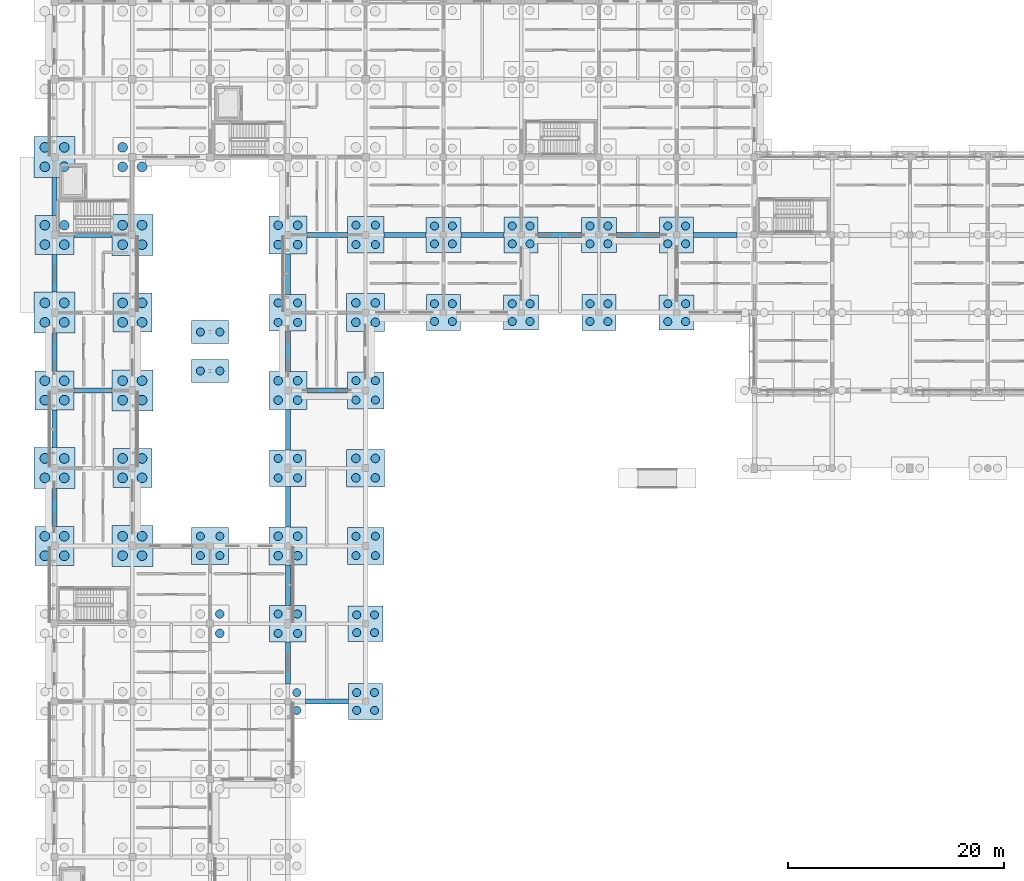
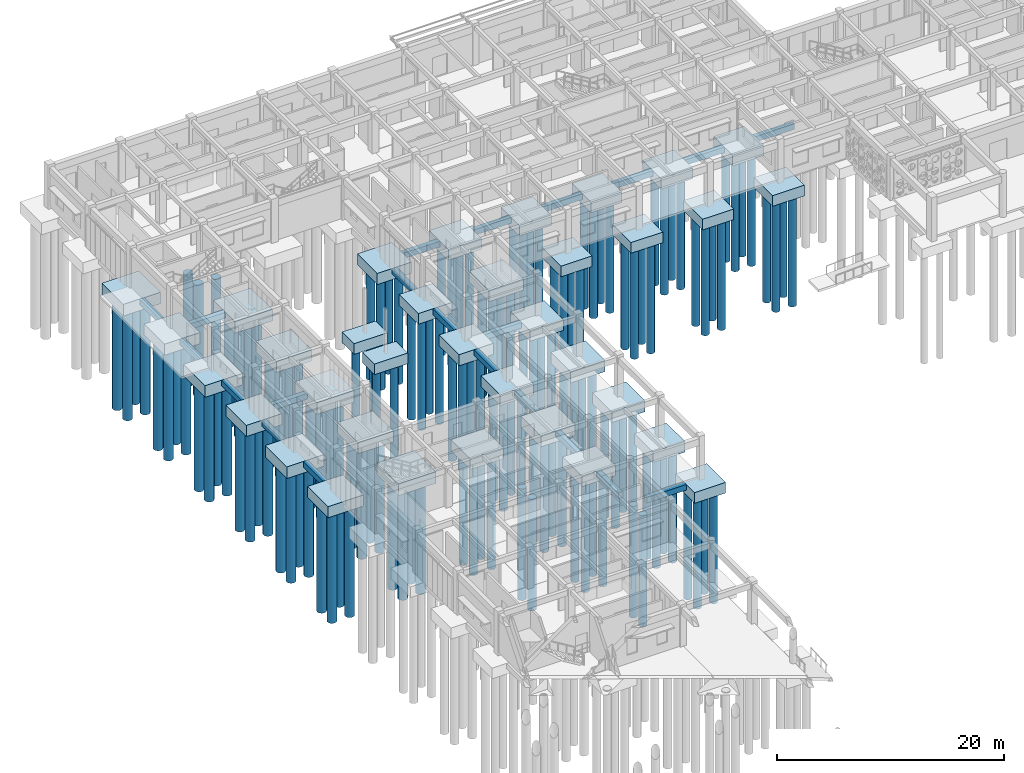
# One storey, part 2 of 111: 143 piles, 56 footings.
"""IFC4 building model written with IfcOpenShell, lengths in metres."""

from ifc_helpers import new_model, si_unit, direction, frame, origin, origin_2d, place, context, subcontext, project, spatial, rectangle, circle, extrude, material, layer, layer_set, material_profile, profile_set, type_object, element, save


model = new_model("IFC4")

# Units and contexts
model_context = context("Model", 3, precision=1e-05, world=origin(), true_north=direction((0.0, 1.0)))
body_context = subcontext(model_context, "Body", "Model", "MODEL_VIEW")
ifc_project = project(units=[si_unit("LENGTHUNIT", "METRE"), si_unit("AREAUNIT", "SQUARE_METRE"), si_unit("VOLUMEUNIT", "CUBIC_METRE"), si_unit("PLANEANGLEUNIT", "RADIAN"), si_unit("MASSUNIT", "GRAM", prefix="KILO")], contexts=[model_context])

# Site, building, storey
site_placement = place(None, origin())
site = spatial("IfcSite", under=ifc_project, at=site_placement, CompositionType="ELEMENT")
building_placement = place(site_placement, origin())
building = spatial("IfcBuilding", under=site, at=building_placement, Name="Aldebral Square Health Centre", CompositionType="ELEMENT")
storey_placement = place(building_placement, origin())
storey = spatial("IfcBuildingStorey", under=building, at=storey_placement, Name="L00", CompositionType="ELEMENT", Elevation=0.0)

# Footings
ifc_material = material(Name="Concrete C35/45", Category="concrete")
ifc_layer_1 = layer(ifc_material, 1.14990234375, Name="Concrete C35/45", Category="concrete")
ifc_layer_set_1 = layer_set([ifc_layer_1], Name="Concrete C35/45")
footing_type_1 = type_object("IfcFootingType", Name="FT-PC2E", PredefinedType="PILE_CAP", material=ifc_layer_set_1)
for number, where, z_axis, x_axis, name in (
    (1, (14.39990234375, 81.0, -1.425048828125), (0.0, 0.0, 1.0), (1.0, 0.0, 0.0), "Bridge pier cap 2-11"),
    (2, (14.39990234375, 84.60009765625, -1.425048828125), (0.0, 0.0, 1.0), (1.0, 0.0, 0.0), "Bridge pier cap 2-12"),
):
    element("IfcFooting", number, at=place(storey_placement, frame(where, z_axis=z_axis, x_axis=x_axis)), inside=storey, type_object=footing_type_1, Name=name, PredefinedType="PILE_CAP", context=body_context, shape_type="SweptSolid", body=[
        extrude(rectangle(XDim=3.39990234375, YDim=2.10009765625, at=origin_2d()), origin(), (0.0, 0.0, 1.0), 1.14990234375),
    ])
ifc_layer_2 = layer(ifc_material, 1.25, Name="Concrete C35/45", Category="concrete")
ifc_layer_set_2 = layer_set([ifc_layer_2], Name="Concrete C35/45")
footing_type_2 = type_object("IfcFootingType", Name="FT-PC4A", PredefinedType="PILE_CAP", material=ifc_layer_set_2)
for number, where, z_axis, x_axis, name in (
    (3, (0.0, 72.0, -1.5), (0.0, 0.0, 1.0), (1.0, 0.0, 0.0), "Pile cap PC1 at 1/11"),
    (4, (0.0, 86.39990234375, -1.5), (0.0, 0.0, 1.0), (1.0, 0.0, 0.0), "Pile cap PC1 at 1/13"),
    (5, (0.0, 100.800048828125, -1.5), (0.0, 0.0, 1.0), (1.0, 0.0, 0.0), "Pile cap PC1 at 1/15"),
    (6, (7.199951171875, 64.800048828125, -1.5), (0.0, 0.0, 1.0), (1.0, 0.0, 0.0), "Pile cap PC1 at 2/10"),
    (7, (7.199951171875, 79.199951171875, -1.5), (0.0, 0.0, 1.0), (1.0, 0.0, 0.0), "Pile cap PC1 at 2/12"),
    (8, (7.199951171875, 93.60009765625, -1.5), (0.0, 0.0, 1.0), (1.0, 0.0, 0.0), "Pile cap PC1 at 2/14"),
):
    element("IfcFooting", number, at=place(storey_placement, frame(where, z_axis=z_axis, x_axis=x_axis)), inside=storey, type_object=footing_type_2, Name=name, PredefinedType="PILE_CAP", context=body_context, shape_type="SweptSolid", body=[
        extrude(rectangle(XDim=3.800048828125, YDim=3.800048828125, at=origin_2d()), origin(), (0.0, 0.0, 1.0), 1.25),
    ])
ifc_layer_3 = layer(ifc_material, 1.199951171875, Name="Concrete C35/45", Category="concrete")
ifc_layer_set_3 = layer_set([ifc_layer_3], Name="Concrete C35/45")
footing_type_3 = type_object("IfcFootingType", Name="FT-PC4B", PredefinedType="PILE_CAP", material=ifc_layer_set_3)
for number, where, z_axis, x_axis, name in (
    (9, (0.0, 64.800048828125, -1.4501953125), (0.0, 0.0, 1.0), (1.0, 0.0, 0.0), "Pile cap PC2 at 1/10"),
    (10, (0.0, 79.199951171875, -1.4501953125), (0.0, 0.0, 1.0), (1.0, 0.0, 0.0), "Pile cap PC2 at 1/12"),
    (11, (0.0, 93.60009765625, -1.4501953125), (0.0, 0.0, 1.0), (1.0, 0.0, 0.0), "Pile cap PC2 at 1/14"),
    (12, (7.199951171875, 72.0, -1.4501953125), (0.0, 0.0, 1.0), (1.0, 0.0, 0.0), "Pile cap PC2 at 2/11"),
    (13, (7.199951171875, 86.39990234375, -1.4501953125), (0.0, 0.0, 1.0), (1.0, 0.0, 0.0), "Pile cap PC2 at 2/13"),
):
    element("IfcFooting", number, at=place(storey_placement, frame(where, z_axis=z_axis, x_axis=x_axis)), inside=storey, type_object=footing_type_3, Name=name, PredefinedType="PILE_CAP", context=body_context, shape_type="SweptSolid", body=[
        extrude(rectangle(XDim=3.60009765625, YDim=3.60009765625, at=origin_2d()), origin(), (0.0, 0.0, 1.0), 1.199951171875),
    ])
ifc_layer_4 = layer(ifc_material, 1.199951171875, Name="Concrete C35/45", Category="concrete")
ifc_layer_set_4 = layer_set([ifc_layer_4], Name="Concrete C35/45")
footing_type_4 = type_object("IfcFootingType", Name="FT-PC4C", PredefinedType="PILE_CAP", material=ifc_layer_set_4)
for number, where, z_axis, x_axis, name in (
    (14, (21.60009765625, 64.800048828125, -1.4501953125), (0.0, 0.0, 1.0), (1.0, 0.0, 0.0), "Pile cap PC3 at 4/10"),
    (15, (21.60009765625, 79.199951171875, -1.4501953125), (0.0, 0.0, 1.0), (1.0, 0.0, 0.0), "Pile cap PC3 at 4/12"),
    (16, (21.60009765625, 93.60009765625, -1.4501953125), (0.0, 0.0, 1.0), (1.0, 0.0, 0.0), "Pile cap PC3 at 4/14"),
    (17, (28.800048828125, 72.0, -1.4501953125), (0.0, 0.0, 1.0), (1.0, 0.0, 0.0), "Pile cap PC3 at 5/11"),
    (18, (28.800048828125, 86.39990234375, -1.4501953125), (0.0, 0.0, 1.0), (1.0, 0.0, 0.0), "Pile cap PC3 at 5/13"),
):
    element("IfcFooting", number, at=place(storey_placement, frame(where, z_axis=z_axis, x_axis=x_axis)), inside=storey, type_object=footing_type_4, Name=name, PredefinedType="PILE_CAP", context=body_context, shape_type="SweptSolid", body=[
        extrude(rectangle(XDim=3.5, YDim=3.5, at=origin_2d()), origin(), (0.0, 0.0, 1.0), 1.199951171875),
    ])
ifc_layer_5 = layer(ifc_material, 1.14990234375, Name="Concrete C35/45", Category="concrete")
ifc_layer_set_5 = layer_set([ifc_layer_5], Name="Concrete C35/45")
footing_type_5 = type_object("IfcFootingType", Name="FT-PC4D", PredefinedType="PILE_CAP", material=ifc_layer_set_5)
for number, where, z_axis, x_axis, name in (
    (19, (14.39990234375, 64.800048828125, -1.39990234375), (0.0, 0.0, 1.0), (1.0, 0.0, 0.0), "Pile cap PC4 at 3/10"),
    (20, (21.60009765625, 57.60009765625, -1.39990234375), (0.0, 0.0, 1.0), (1.0, 0.0, 0.0), "Pile cap PC4 at 4/9"),
    (21, (21.60009765625, 72.0, -1.39990234375), (0.0, 0.0, 1.0), (1.0, 0.0, 0.0), "Pile cap PC4 at 4/11"),
    (22, (21.60009765625, 86.39990234375, -1.39990234375), (0.0, 0.0, 1.0), (1.0, 0.0, 0.0), "Pile cap PC4 at 4/13"),
    (23, (28.800048828125, 64.800048828125, -1.39990234375), (0.0, 0.0, 1.0), (1.0, 0.0, 0.0), "Pile cap PC4 at 5/10"),
    (24, (28.800048828125, 79.199951171875, -1.39990234375), (0.0, 0.0, 1.0), (1.0, 0.0, 0.0), "Pile cap PC4 at 5/12"),
    (25, (28.800048828125, 93.60009765625, -1.39990234375), (0.0, 0.0, 1.0), (1.0, 0.0, 0.0), "Pile cap PC4 at 5/14"),
):
    element("IfcFooting", number, at=place(storey_placement, frame(where, z_axis=z_axis, x_axis=x_axis)), inside=storey, type_object=footing_type_5, Name=name, PredefinedType="PILE_CAP", context=body_context, shape_type="SweptSolid", body=[
        extrude(rectangle(XDim=3.39990234375, YDim=3.39990234375, at=origin_2d()), origin(), (0.0, 0.0, 1.0), 1.14990234375),
    ])
ifc_layer_6 = layer(ifc_material, 1.14990234375, Name="Concrete C35/45", Category="concrete")
ifc_layer_set_6 = layer_set([ifc_layer_6], Name="Concrete C35/45")
footing_type_6 = type_object("IfcFootingType", Name="FT-PC4E", PredefinedType="PILE_CAP", material=ifc_layer_set_6)
for number, where, z_axis, x_axis, name in (
    (26, (28.800048828125, 57.60009765625, -1.39990234375), (0.0, 0.0, 1.0), (1.0, 0.0, 0.0), "Pile cap PC5 at 5/9"),
    (27, (36.0, 93.60009765625, -1.39990234375), (0.0, 0.0, 1.0), (1.0, 0.0, 0.0), "Pile cap PC5 at 6/14"),
    (28, (43.199951171875, 86.39990234375, -1.39990234375), (0.0, 0.0, 1.0), (1.0, 0.0, 0.0), "Pile cap PC5 at 7/13"),
    (29, (50.39990234375, 93.60009765625, -1.39990234375), (0.0, 0.0, 1.0), (1.0, 0.0, 0.0), "Pile cap PC5 at 8/14"),
    (30, (57.60009765625, 86.39990234375, -1.39990234375), (0.0, 0.0, 1.0), (1.0, 0.0, 0.0), "Pile cap PC5 at 9/13"),
):
    element("IfcFooting", number, at=place(storey_placement, frame(where, z_axis=z_axis, x_axis=x_axis)), inside=storey, type_object=footing_type_6, Name=name, PredefinedType="PILE_CAP", context=body_context, shape_type="SweptSolid", body=[
        extrude(rectangle(XDim=3.25, YDim=3.25, at=origin_2d()), origin(), (0.0, 0.0, 1.0), 1.14990234375),
    ])
ifc_layer_7 = layer(ifc_material, 1.14990234375, Name="Concrete C35/45", Category="concrete")
ifc_layer_set_7 = layer_set([ifc_layer_7], Name="Concrete C35/45")
footing_type_7 = type_object("IfcFootingType", Name="FT-PC4F", PredefinedType="PILE_CAP", material=ifc_layer_set_7)
for number, where, z_axis, x_axis, name in (
    (31, (28.800048828125, 50.39990234375, -1.39990234375), (0.0, 0.0, 1.0), (1.0, 0.0, 0.0), "Pile cap PC6 at 5/8"),
    (32, (36.0, 86.39990234375, -1.39990234375), (0.0, 0.0, 1.0), (1.0, 0.0, 0.0), "Pile cap PC6 at 6/13"),
    (33, (43.199951171875, 93.60009765625, -1.39990234375), (0.0, 0.0, 1.0), (1.0, 0.0, 0.0), "Pile cap PC6 at 7/14"),
    (34, (50.39990234375, 86.39990234375, -1.39990234375), (0.0, 0.0, 1.0), (1.0, 0.0, 0.0), "Pile cap PC6 at 8/13"),
    (35, (57.60009765625, 93.60009765625, -1.39990234375), (0.0, 0.0, 1.0), (1.0, 0.0, 0.0), "Pile cap PC6 at 9/14"),
):
    element("IfcFooting", number, at=place(storey_placement, frame(where, z_axis=z_axis, x_axis=x_axis)), inside=storey, type_object=footing_type_7, Name=name, PredefinedType="PILE_CAP", context=body_context, shape_type="SweptSolid", body=[
        extrude(rectangle(XDim=3.14990234375, YDim=3.35009765625, at=origin_2d()), origin(), (0.0, 0.0, 1.0), 1.14990234375),
    ])
ifc_material_profile_1 = material_profile(ifc_material, rectangle(XDim=0.449951171875, YDim=0.60009765625, at=origin_2d()), Name="RC 450x600")
ifc_profile_set_1 = profile_set([ifc_material_profile_1], Name="Concrete C35/45")
footing_type_8 = type_object("IfcFootingType", Name="FT-TB1", PredefinedType="FOOTING_BEAM", material=ifc_profile_set_1)
for number, where, z_axis, x_axis, name in (
    (36, (0.0, 66.60009765625, -0.550048828125), (0.0, 1.0, 0.0), (-1.0, 0.0, 0.0), "Ground tie beam Y 1-10"),
    (37, (0.0, 73.89990234375, -0.550048828125), (0.0, 1.0, 0.0), (-1.0, 0.0, 0.0), "Ground tie beam Y 1-11"),
    (38, (1.800048828125, 79.199951171875, -0.550048828125), (1.0, 0.0, 0.0), (0.0, 1.0, 0.0), "Ground tie beam X 1-12"),
    (39, (0.0, 81.0, -0.550048828125), (0.0, 1.0, 0.0), (-1.0, 0.0, 0.0), "Ground tie beam Y 1-12"),
    (40, (0.0, 88.300048828125, -0.550048828125), (0.0, 1.0, 0.0), (-1.0, 0.0, 0.0), "Ground tie beam Y 1-13"),
    (41, (1.800048828125, 93.60009765625, -0.550048828125), (1.0, 0.0, 0.0), (0.0, 1.0, 0.0), "Ground tie beam X 1-14"),
    (42, (0.0, 95.39990234375, -0.550048828125), (0.0, 1.0, 0.0), (-1.0, 0.0, 0.0), "Ground tie beam Y 1-14"),
):
    element("IfcFooting", number, at=place(storey_placement, frame(where, z_axis=z_axis, x_axis=x_axis)), inside=storey, type_object=footing_type_8, Name=name, PredefinedType="FOOTING_BEAM", context=body_context, shape_type="SweptSolid", body=[
        extrude(rectangle(XDim=0.449951171875, YDim=0.60009765625, at=origin_2d()), origin(), (0.0, 0.0, 1.0), 3.5),
    ])
footing_1_placement = place(storey_placement, frame((23.22509765625, 50.39990234375, -0.550048828125), z_axis=(1.0, 0.0, 0.0), x_axis=(0.0, 1.0, 0.0)))
element("IfcFooting", 43, at=footing_1_placement, inside=storey, type_object=footing_type_8, Name="Ground tie beam X 4-8", PredefinedType="FOOTING_BEAM", context=body_context, shape_type="SweptSolid", body=[
    extrude(rectangle(XDim=0.449951171875, YDim=0.60009765625, at=origin_2d()), origin(), (0.0, 0.0, 1.0), 4.0),
])
footing_2_placement = place(storey_placement, frame((21.60009765625, 52.02490234375, -0.550048828125), z_axis=(0.0, 1.0, 0.0), x_axis=(-1.0, 0.0, 0.0)))
element("IfcFooting", 44, at=footing_2_placement, inside=storey, type_object=footing_type_8, Name="Ground tie beam Y 4-8", PredefinedType="FOOTING_BEAM", context=body_context, shape_type="SweptSolid", body=[
    extrude(rectangle(XDim=0.449951171875, YDim=0.60009765625, at=origin_2d()), origin(), (0.0, 0.0, 1.0), 3.875),
])
for number, where, z_axis, x_axis, name in (
    (45, (21.60009765625, 59.300048828125, -0.550048828125), (0.0, 1.0, 0.0), (-1.0, 0.0, 0.0), "Ground tie beam Y 4-9"),
    (46, (21.60009765625, 66.550048828125, -0.550048828125), (0.0, 1.0, 0.0), (-1.0, 0.0, 0.0), "Ground tie beam Y 4-10"),
    (47, (21.60009765625, 73.699951171875, -0.550048828125), (0.0, 1.0, 0.0), (-1.0, 0.0, 0.0), "Ground tie beam Y 4-11"),
    (48, (23.35009765625, 79.199951171875, -0.550048828125), (1.0, 0.0, 0.0), (0.0, 1.0, 0.0), "Ground tie beam X 4-12"),
    (49, (21.60009765625, 80.949951171875, -0.550048828125), (0.0, 1.0, 0.0), (-1.0, 0.0, 0.0), "Ground tie beam Y 4-12"),
    (50, (21.60009765625, 88.10009765625, -0.550048828125), (0.0, 1.0, 0.0), (-1.0, 0.0, 0.0), "Ground tie beam Y 4-13"),
    (51, (23.35009765625, 93.60009765625, -0.550048828125), (1.0, 0.0, 0.0), (0.0, 1.0, 0.0), "Ground tie beam X 4-14"),
):
    element("IfcFooting", number, at=place(storey_placement, frame(where, z_axis=z_axis, x_axis=x_axis)), inside=storey, type_object=footing_type_8, Name=name, PredefinedType="FOOTING_BEAM", context=body_context, shape_type="SweptSolid", body=[
        extrude(rectangle(XDim=0.449951171875, YDim=0.60009765625, at=origin_2d()), origin(), (0.0, 0.0, 1.0), 3.75),
    ])
footing_3_placement = place(storey_placement, frame((30.5, 93.60009765625, -0.550048828125), z_axis=(1.0, 0.0, 0.0), x_axis=(0.0, 1.0, 0.0)))
element("IfcFooting", 52, at=footing_3_placement, inside=storey, type_object=footing_type_8, Name="Ground tie beam X 5-14", PredefinedType="FOOTING_BEAM", context=body_context, shape_type="SweptSolid", body=[
    extrude(rectangle(XDim=0.449951171875, YDim=0.60009765625, at=origin_2d()), origin(), (0.0, 0.0, 1.0), 3.875),
])
for number, where, z_axis, x_axis, name in (
    (53, (37.625, 93.60009765625, -0.550048828125), (1.0, 0.0, 0.0), (0.0, 1.0, 0.0), "Ground tie beam X 6-14"),
    (54, (44.77490234375, 93.60009765625, -0.550048828125), (1.0, 0.0, 0.0), (0.0, 1.0, 0.0), "Ground tie beam X 7-14"),
    (55, (52.02490234375, 93.60009765625, -0.550048828125), (1.0, 0.0, 0.0), (0.0, 1.0, 0.0), "Ground tie beam X 8-14"),
    (56, (59.175048828125, 93.60009765625, -0.550048828125), (1.0, 0.0, 0.0), (0.0, 1.0, 0.0), "Ground tie beam X 9-14"),
):
    element("IfcFooting", number, at=place(storey_placement, frame(where, z_axis=z_axis, x_axis=x_axis)), inside=storey, type_object=footing_type_8, Name=name, PredefinedType="FOOTING_BEAM", context=body_context, shape_type="SweptSolid", body=[
        extrude(rectangle(XDim=0.449951171875, YDim=0.60009765625, at=origin_2d()), origin(), (0.0, 0.0, 1.0), 4.0),
    ])

# Piles
ifc_material_profile_2 = material_profile(ifc_material, circle(Radius=0.375, at=origin_2d()), Name="PILE D750")
ifc_profile_set_2 = profile_set([ifc_material_profile_2], Name="Concrete C35/45")
pile_type_1 = type_object("IfcPileType", Name="PL-750", PredefinedType="BORED", material=ifc_profile_set_2)
for number, where, z_axis, x_axis, name in (
    (57, (13.5, 63.89990234375, -1.300048828125), (0.0, 0.0, -1.0), (1.0, 0.0, 0.0), "Bored pile 3-10-1"),
    (58, (15.300048828125, 63.89990234375, -1.300048828125), (0.0, 0.0, -1.0), (1.0, 0.0, 0.0), "Bored pile 3-10-2"),
    (59, (13.5, 65.699951171875, -1.300048828125), (0.0, 0.0, -1.0), (1.0, 0.0, 0.0), "Bored pile 3-10-3"),
    (60, (15.300048828125, 65.699951171875, -1.300048828125), (0.0, 0.0, -1.0), (1.0, 0.0, 0.0), "Bored pile 3-10-4"),
    (61, (22.425048828125, 49.574951171875, -1.300048828125), (0.0, 0.0, -1.0), (1.0, 0.0, 0.0), "Bored pile 4-8-2"),
    (62, (22.425048828125, 51.22509765625, -1.300048828125), (0.0, 0.0, -1.0), (1.0, 0.0, 0.0), "Bored pile 4-8-4"),
    (63, (20.699951171875, 56.699951171875, -1.300048828125), (0.0, 0.0, -1.0), (1.0, 0.0, 0.0), "Bored pile 4-9-1"),
    (64, (22.5, 56.699951171875, -1.300048828125), (0.0, 0.0, -1.0), (1.0, 0.0, 0.0), "Bored pile 4-9-2"),
    (65, (20.699951171875, 58.5, -1.300048828125), (0.0, 0.0, -1.0), (1.0, 0.0, 0.0), "Bored pile 4-9-3"),
    (66, (22.5, 58.5, -1.300048828125), (0.0, 0.0, -1.0), (1.0, 0.0, 0.0), "Bored pile 4-9-4"),
    (67, (20.699951171875, 71.10009765625, -1.300048828125), (0.0, 0.0, -1.0), (1.0, 0.0, 0.0), "Bored pile 4-11-1"),
    (68, (22.5, 71.10009765625, -1.300048828125), (0.0, 0.0, -1.0), (1.0, 0.0, 0.0), "Bored pile 4-11-2"),
    (69, (20.699951171875, 72.89990234375, -1.300048828125), (0.0, 0.0, -1.0), (1.0, 0.0, 0.0), "Bored pile 4-11-3"),
    (70, (22.5, 72.89990234375, -1.300048828125), (0.0, 0.0, -1.0), (1.0, 0.0, 0.0), "Bored pile 4-11-4"),
    (71, (20.699951171875, 85.5, -1.300048828125), (0.0, 0.0, -1.0), (1.0, 0.0, 0.0), "Bored pile 4-13-1"),
    (72, (22.5, 85.5, -1.300048828125), (0.0, 0.0, -1.0), (1.0, 0.0, 0.0), "Bored pile 4-13-2"),
    (73, (20.699951171875, 87.300048828125, -1.300048828125), (0.0, 0.0, -1.0), (1.0, 0.0, 0.0), "Bored pile 4-13-3"),
    (74, (22.5, 87.300048828125, -1.300048828125), (0.0, 0.0, -1.0), (1.0, 0.0, 0.0), "Bored pile 4-13-4"),
    (75, (27.97509765625, 49.574951171875, -1.300048828125), (0.0, 0.0, -1.0), (1.0, 0.0, 0.0), "Bored pile 5-8-1"),
    (76, (29.625, 49.574951171875, -1.300048828125), (0.0, 0.0, -1.0), (1.0, 0.0, 0.0), "Bored pile 5-8-2"),
    (77, (27.97509765625, 51.22509765625, -1.300048828125), (0.0, 0.0, -1.0), (1.0, 0.0, 0.0), "Bored pile 5-8-3"),
    (78, (29.625, 51.22509765625, -1.300048828125), (0.0, 0.0, -1.0), (1.0, 0.0, 0.0), "Bored pile 5-8-4"),
    (79, (27.97509765625, 56.77490234375, -1.300048828125), (0.0, 0.0, -1.0), (1.0, 0.0, 0.0), "Bored pile 5-9-1"),
    (80, (29.625, 56.77490234375, -1.300048828125), (0.0, 0.0, -1.0), (1.0, 0.0, 0.0), "Bored pile 5-9-2"),
    (81, (27.97509765625, 58.425048828125, -1.300048828125), (0.0, 0.0, -1.0), (1.0, 0.0, 0.0), "Bored pile 5-9-3"),
    (82, (29.625, 58.425048828125, -1.300048828125), (0.0, 0.0, -1.0), (1.0, 0.0, 0.0), "Bored pile 5-9-4"),
    (83, (27.89990234375, 63.89990234375, -1.300048828125), (0.0, 0.0, -1.0), (1.0, 0.0, 0.0), "Bored pile 5-10-1"),
    (84, (29.699951171875, 63.89990234375, -1.300048828125), (0.0, 0.0, -1.0), (1.0, 0.0, 0.0), "Bored pile 5-10-2"),
    (85, (27.89990234375, 65.699951171875, -1.300048828125), (0.0, 0.0, -1.0), (1.0, 0.0, 0.0), "Bored pile 5-10-3"),
    (86, (29.699951171875, 65.699951171875, -1.300048828125), (0.0, 0.0, -1.0), (1.0, 0.0, 0.0), "Bored pile 5-10-4"),
    (87, (27.89990234375, 78.300048828125, -1.300048828125), (0.0, 0.0, -1.0), (1.0, 0.0, 0.0), "Bored pile 5-12-1"),
    (88, (29.699951171875, 78.300048828125, -1.300048828125), (0.0, 0.0, -1.0), (1.0, 0.0, 0.0), "Bored pile 5-12-2"),
    (89, (27.89990234375, 80.10009765625, -1.300048828125), (0.0, 0.0, -1.0), (1.0, 0.0, 0.0), "Bored pile 5-12-3"),
    (90, (29.699951171875, 80.10009765625, -1.300048828125), (0.0, 0.0, -1.0), (1.0, 0.0, 0.0), "Bored pile 5-12-4"),
    (91, (27.89990234375, 92.699951171875, -1.300048828125), (0.0, 0.0, -1.0), (1.0, 0.0, 0.0), "Bored pile 5-14-1"),
    (92, (29.699951171875, 92.699951171875, -1.300048828125), (0.0, 0.0, -1.0), (1.0, 0.0, 0.0), "Bored pile 5-14-2"),
    (93, (27.89990234375, 94.5, -1.300048828125), (0.0, 0.0, -1.0), (1.0, 0.0, 0.0), "Bored pile 5-14-3"),
    (94, (29.699951171875, 94.5, -1.300048828125), (0.0, 0.0, -1.0), (1.0, 0.0, 0.0), "Bored pile 5-14-4"),
    (95, (35.175048828125, 85.574951171875, -1.300048828125), (0.0, 0.0, -1.0), (1.0, 0.0, 0.0), "Bored pile 6-13-1"),
    (96, (36.824951171875, 85.574951171875, -1.300048828125), (0.0, 0.0, -1.0), (1.0, 0.0, 0.0), "Bored pile 6-13-2"),
    (97, (35.175048828125, 87.22509765625, -1.300048828125), (0.0, 0.0, -1.0), (1.0, 0.0, 0.0), "Bored pile 6-13-3"),
    (98, (36.824951171875, 87.22509765625, -1.300048828125), (0.0, 0.0, -1.0), (1.0, 0.0, 0.0), "Bored pile 6-13-4"),
    (99, (35.175048828125, 92.77490234375, -1.300048828125), (0.0, 0.0, -1.0), (1.0, 0.0, 0.0), "Bored pile 6-14-1"),
    (100, (36.824951171875, 92.77490234375, -1.300048828125), (0.0, 0.0, -1.0), (1.0, 0.0, 0.0), "Bored pile 6-14-2"),
    (101, (35.175048828125, 94.425048828125, -1.300048828125), (0.0, 0.0, -1.0), (1.0, 0.0, 0.0), "Bored pile 6-14-3"),
    (102, (36.824951171875, 94.425048828125, -1.300048828125), (0.0, 0.0, -1.0), (1.0, 0.0, 0.0), "Bored pile 6-14-4"),
    (103, (42.375, 85.574951171875, -1.300048828125), (0.0, 0.0, -1.0), (1.0, 0.0, 0.0), "Bored pile 7-13-1"),
    (104, (44.02490234375, 85.574951171875, -1.300048828125), (0.0, 0.0, -1.0), (1.0, 0.0, 0.0), "Bored pile 7-13-2"),
    (105, (42.375, 87.22509765625, -1.300048828125), (0.0, 0.0, -1.0), (1.0, 0.0, 0.0), "Bored pile 7-13-3"),
    (106, (44.02490234375, 87.22509765625, -1.300048828125), (0.0, 0.0, -1.0), (1.0, 0.0, 0.0), "Bored pile 7-13-4"),
    (107, (42.375, 92.77490234375, -1.300048828125), (0.0, 0.0, -1.0), (1.0, 0.0, 0.0), "Bored pile 7-14-1"),
    (108, (44.02490234375, 92.77490234375, -1.300048828125), (0.0, 0.0, -1.0), (1.0, 0.0, 0.0), "Bored pile 7-14-2"),
    (109, (42.375, 94.425048828125, -1.300048828125), (0.0, 0.0, -1.0), (1.0, 0.0, 0.0), "Bored pile 7-14-3"),
    (110, (44.02490234375, 94.425048828125, -1.300048828125), (0.0, 0.0, -1.0), (1.0, 0.0, 0.0), "Bored pile 7-14-4"),
    (111, (49.574951171875, 85.574951171875, -1.300048828125), (0.0, 0.0, -1.0), (1.0, 0.0, 0.0), "Bored pile 8-13-1"),
    (112, (51.22509765625, 85.574951171875, -1.300048828125), (0.0, 0.0, -1.0), (1.0, 0.0, 0.0), "Bored pile 8-13-2"),
    (113, (49.574951171875, 87.22509765625, -1.300048828125), (0.0, 0.0, -1.0), (1.0, 0.0, 0.0), "Bored pile 8-13-3"),
    (114, (51.22509765625, 87.22509765625, -1.300048828125), (0.0, 0.0, -1.0), (1.0, 0.0, 0.0), "Bored pile 8-13-4"),
    (115, (49.574951171875, 92.77490234375, -1.300048828125), (0.0, 0.0, -1.0), (1.0, 0.0, 0.0), "Bored pile 8-14-1"),
    (116, (51.22509765625, 92.77490234375, -1.300048828125), (0.0, 0.0, -1.0), (1.0, 0.0, 0.0), "Bored pile 8-14-2"),
    (117, (49.574951171875, 94.425048828125, -1.300048828125), (0.0, 0.0, -1.0), (1.0, 0.0, 0.0), "Bored pile 8-14-3"),
    (118, (51.22509765625, 94.425048828125, -1.300048828125), (0.0, 0.0, -1.0), (1.0, 0.0, 0.0), "Bored pile 8-14-4"),
    (119, (56.77490234375, 85.574951171875, -1.300048828125), (0.0, 0.0, -1.0), (1.0, 0.0, 0.0), "Bored pile 9-13-1"),
    (120, (58.425048828125, 85.574951171875, -1.300048828125), (0.0, 0.0, -1.0), (1.0, 0.0, 0.0), "Bored pile 9-13-2"),
    (121, (56.77490234375, 87.22509765625, -1.300048828125), (0.0, 0.0, -1.0), (1.0, 0.0, 0.0), "Bored pile 9-13-3"),
    (122, (58.425048828125, 87.22509765625, -1.300048828125), (0.0, 0.0, -1.0), (1.0, 0.0, 0.0), "Bored pile 9-13-4"),
    (123, (56.77490234375, 92.77490234375, -1.300048828125), (0.0, 0.0, -1.0), (1.0, 0.0, 0.0), "Bored pile 9-14-1"),
    (124, (58.425048828125, 92.77490234375, -1.300048828125), (0.0, 0.0, -1.0), (1.0, 0.0, 0.0), "Bored pile 9-14-2"),
    (125, (56.77490234375, 94.425048828125, -1.300048828125), (0.0, 0.0, -1.0), (1.0, 0.0, 0.0), "Bored pile 9-14-3"),
    (126, (58.425048828125, 94.425048828125, -1.300048828125), (0.0, 0.0, -1.0), (1.0, 0.0, 0.0), "Bored pile 9-14-4"),
    (127, (13.5, 81.0, -1.324951171875), (0.0, 0.0, -1.0), (1.0, 0.0, 0.0), "Bridge bored pile 2-11-1"),
    (128, (15.300048828125, 81.0, -1.324951171875), (0.0, 0.0, -1.0), (1.0, 0.0, 0.0), "Bridge bored pile 2-11-2"),
    (129, (13.5, 84.60009765625, -1.324951171875), (0.0, 0.0, -1.0), (1.0, 0.0, 0.0), "Bridge bored pile 2-12-1"),
    (130, (15.300048828125, 84.60009765625, -1.324951171875), (0.0, 0.0, -1.0), (1.0, 0.0, 0.0), "Bridge bored pile 2-12-2"),
):
    element("IfcPile", number, at=place(storey_placement, frame(where, z_axis=z_axis, x_axis=x_axis)), inside=storey, type_object=pile_type_1, Name=name, PredefinedType="BORED", context=body_context, shape_type="SweptSolid", body=[
        extrude(circle(Radius=0.375, at=origin_2d()), origin(), (0.0, 0.0, 1.0), 12.0),
    ])
ifc_material_profile_3 = material_profile(ifc_material, circle(Radius=0.39990234375, at=origin_2d()), Name="PILE D800")
ifc_profile_set_3 = profile_set([ifc_material_profile_3], Name="Concrete C35/45")
pile_type_2 = type_object("IfcPileType", Name="PL-800", PredefinedType="BORED", material=ifc_profile_set_3)
for number, where, z_axis, x_axis, name in (
    (131, (15.300048828125, 56.699951171875, -1.35009765625), (0.0, 0.0, -1.0), (1.0, 0.0, 0.0), "Bored pile 3-9-2"),
    (132, (15.300048828125, 58.5, -1.35009765625), (0.0, 0.0, -1.0), (1.0, 0.0, 0.0), "Bored pile 3-9-4"),
    (133, (20.699951171875, 63.89990234375, -1.35009765625), (0.0, 0.0, -1.0), (1.0, 0.0, 0.0), "Bored pile 4-10-1"),
    (134, (22.5, 63.89990234375, -1.35009765625), (0.0, 0.0, -1.0), (1.0, 0.0, 0.0), "Bored pile 4-10-2"),
    (135, (20.699951171875, 65.699951171875, -1.35009765625), (0.0, 0.0, -1.0), (1.0, 0.0, 0.0), "Bored pile 4-10-3"),
    (136, (22.5, 65.699951171875, -1.35009765625), (0.0, 0.0, -1.0), (1.0, 0.0, 0.0), "Bored pile 4-10-4"),
    (137, (20.699951171875, 78.300048828125, -1.35009765625), (0.0, 0.0, -1.0), (1.0, 0.0, 0.0), "Bored pile 4-12-1"),
    (138, (22.5, 78.300048828125, -1.35009765625), (0.0, 0.0, -1.0), (1.0, 0.0, 0.0), "Bored pile 4-12-2"),
    (139, (20.699951171875, 80.10009765625, -1.35009765625), (0.0, 0.0, -1.0), (1.0, 0.0, 0.0), "Bored pile 4-12-3"),
    (140, (22.5, 80.10009765625, -1.35009765625), (0.0, 0.0, -1.0), (1.0, 0.0, 0.0), "Bored pile 4-12-4"),
    (141, (20.699951171875, 92.699951171875, -1.35009765625), (0.0, 0.0, -1.0), (1.0, 0.0, 0.0), "Bored pile 4-14-1"),
    (142, (22.5, 92.699951171875, -1.35009765625), (0.0, 0.0, -1.0), (1.0, 0.0, 0.0), "Bored pile 4-14-2"),
    (143, (20.699951171875, 94.5, -1.35009765625), (0.0, 0.0, -1.0), (1.0, 0.0, 0.0), "Bored pile 4-14-3"),
    (144, (22.5, 94.5, -1.35009765625), (0.0, 0.0, -1.0), (1.0, 0.0, 0.0), "Bored pile 4-14-4"),
    (145, (27.89990234375, 71.10009765625, -1.35009765625), (0.0, 0.0, -1.0), (1.0, 0.0, 0.0), "Bored pile 5-11-1"),
    (146, (29.699951171875, 71.10009765625, -1.35009765625), (0.0, 0.0, -1.0), (1.0, 0.0, 0.0), "Bored pile 5-11-2"),
    (147, (27.89990234375, 72.89990234375, -1.35009765625), (0.0, 0.0, -1.0), (1.0, 0.0, 0.0), "Bored pile 5-11-3"),
    (148, (29.699951171875, 72.89990234375, -1.35009765625), (0.0, 0.0, -1.0), (1.0, 0.0, 0.0), "Bored pile 5-11-4"),
    (149, (27.89990234375, 85.5, -1.35009765625), (0.0, 0.0, -1.0), (1.0, 0.0, 0.0), "Bored pile 5-13-1"),
    (150, (29.699951171875, 85.5, -1.35009765625), (0.0, 0.0, -1.0), (1.0, 0.0, 0.0), "Bored pile 5-13-2"),
    (151, (27.89990234375, 87.300048828125, -1.35009765625), (0.0, 0.0, -1.0), (1.0, 0.0, 0.0), "Bored pile 5-13-3"),
    (152, (29.699951171875, 87.300048828125, -1.35009765625), (0.0, 0.0, -1.0), (1.0, 0.0, 0.0), "Bored pile 5-13-4"),
):
    element("IfcPile", number, at=place(storey_placement, frame(where, z_axis=z_axis, x_axis=x_axis)), inside=storey, type_object=pile_type_2, Name=name, PredefinedType="BORED", context=body_context, shape_type="SweptSolid", body=[
        extrude(circle(Radius=0.39990234375, at=origin_2d()), origin(), (0.0, 0.0, 1.0), 12.0),
    ])
ifc_material_profile_4 = material_profile(ifc_material, circle(Radius=0.449951171875, at=origin_2d()), Name="PILE D900")
ifc_profile_set_4 = profile_set([ifc_material_profile_4], Name="Concrete C35/45")
pile_type_3 = type_object("IfcPileType", Name="PL-900", PredefinedType="BORED", material=ifc_profile_set_4)
for number, where, z_axis, x_axis, name in (
    (153, (-0.89990234375, 63.89990234375, -1.35009765625), (0.0, 0.0, -1.0), (1.0, 0.0, 0.0), "Bored pile 1-10-1"),
    (154, (0.89990234375, 63.89990234375, -1.35009765625), (0.0, 0.0, -1.0), (1.0, 0.0, 0.0), "Bored pile 1-10-2"),
    (155, (-0.89990234375, 65.699951171875, -1.35009765625), (0.0, 0.0, -1.0), (1.0, 0.0, 0.0), "Bored pile 1-10-3"),
    (156, (0.89990234375, 65.699951171875, -1.35009765625), (0.0, 0.0, -1.0), (1.0, 0.0, 0.0), "Bored pile 1-10-4"),
    (157, (-0.89990234375, 71.10009765625, -1.39990234375), (0.0, 0.0, -1.0), (1.0, 0.0, 0.0), "Bored pile 1-11-1"),
    (158, (0.89990234375, 71.10009765625, -1.39990234375), (0.0, 0.0, -1.0), (1.0, 0.0, 0.0), "Bored pile 1-11-2"),
    (159, (-0.89990234375, 72.89990234375, -1.39990234375), (0.0, 0.0, -1.0), (1.0, 0.0, 0.0), "Bored pile 1-11-3"),
    (160, (0.89990234375, 72.89990234375, -1.39990234375), (0.0, 0.0, -1.0), (1.0, 0.0, 0.0), "Bored pile 1-11-4"),
    (161, (-0.89990234375, 78.300048828125, -1.35009765625), (0.0, 0.0, -1.0), (1.0, 0.0, 0.0), "Bored pile 1-12-1"),
    (162, (0.89990234375, 78.300048828125, -1.35009765625), (0.0, 0.0, -1.0), (1.0, 0.0, 0.0), "Bored pile 1-12-2"),
    (163, (-0.89990234375, 80.10009765625, -1.35009765625), (0.0, 0.0, -1.0), (1.0, 0.0, 0.0), "Bored pile 1-12-3"),
    (164, (0.89990234375, 80.10009765625, -1.35009765625), (0.0, 0.0, -1.0), (1.0, 0.0, 0.0), "Bored pile 1-12-4"),
    (165, (-0.89990234375, 85.5, -1.39990234375), (0.0, 0.0, -1.0), (1.0, 0.0, 0.0), "Bored pile 1-13-1"),
    (166, (0.89990234375, 85.5, -1.39990234375), (0.0, 0.0, -1.0), (1.0, 0.0, 0.0), "Bored pile 1-13-2"),
    (167, (-0.89990234375, 87.300048828125, -1.39990234375), (0.0, 0.0, -1.0), (1.0, 0.0, 0.0), "Bored pile 1-13-3"),
    (168, (0.89990234375, 87.300048828125, -1.39990234375), (0.0, 0.0, -1.0), (1.0, 0.0, 0.0), "Bored pile 1-13-4"),
    (169, (-0.89990234375, 92.699951171875, -1.35009765625), (0.0, 0.0, -1.0), (1.0, 0.0, 0.0), "Bored pile 1-14-1"),
    (170, (0.89990234375, 92.699951171875, -1.35009765625), (0.0, 0.0, -1.0), (1.0, 0.0, 0.0), "Bored pile 1-14-2"),
    (171, (-0.89990234375, 94.5, -1.35009765625), (0.0, 0.0, -1.0), (1.0, 0.0, 0.0), "Bored pile 1-14-3"),
    (172, (0.89990234375, 94.5, -1.35009765625), (0.0, 0.0, -1.0), (1.0, 0.0, 0.0), "Bored pile 1-14-4"),
    (173, (-0.89990234375, 99.89990234375, -1.39990234375), (0.0, 0.0, -1.0), (1.0, 0.0, 0.0), "Bored pile 1-15-1"),
    (174, (0.89990234375, 99.89990234375, -1.39990234375), (0.0, 0.0, -1.0), (1.0, 0.0, 0.0), "Bored pile 1-15-2"),
    (175, (-0.89990234375, 101.699951171875, -1.39990234375), (0.0, 0.0, -1.0), (1.0, 0.0, 0.0), "Bored pile 1-15-3"),
    (176, (0.89990234375, 101.699951171875, -1.39990234375), (0.0, 0.0, -1.0), (1.0, 0.0, 0.0), "Bored pile 1-15-4"),
    (177, (6.300048828125, 63.89990234375, -1.39990234375), (0.0, 0.0, -1.0), (1.0, 0.0, 0.0), "Bored pile 2-10-1"),
    (178, (8.10009765625, 63.89990234375, -1.39990234375), (0.0, 0.0, -1.0), (1.0, 0.0, 0.0), "Bored pile 2-10-2"),
    (179, (6.300048828125, 65.699951171875, -1.39990234375), (0.0, 0.0, -1.0), (1.0, 0.0, 0.0), "Bored pile 2-10-3"),
    (180, (8.10009765625, 65.699951171875, -1.39990234375), (0.0, 0.0, -1.0), (1.0, 0.0, 0.0), "Bored pile 2-10-4"),
    (181, (6.300048828125, 71.10009765625, -1.35009765625), (0.0, 0.0, -1.0), (1.0, 0.0, 0.0), "Bored pile 2-11-1"),
    (182, (8.10009765625, 71.10009765625, -1.35009765625), (0.0, 0.0, -1.0), (1.0, 0.0, 0.0), "Bored pile 2-11-2"),
    (183, (6.300048828125, 72.89990234375, -1.35009765625), (0.0, 0.0, -1.0), (1.0, 0.0, 0.0), "Bored pile 2-11-3"),
    (184, (8.10009765625, 72.89990234375, -1.35009765625), (0.0, 0.0, -1.0), (1.0, 0.0, 0.0), "Bored pile 2-11-4"),
    (185, (6.300048828125, 78.300048828125, -1.39990234375), (0.0, 0.0, -1.0), (1.0, 0.0, 0.0), "Bored pile 2-12-1"),
    (186, (8.10009765625, 78.300048828125, -1.39990234375), (0.0, 0.0, -1.0), (1.0, 0.0, 0.0), "Bored pile 2-12-2"),
    (187, (6.300048828125, 80.10009765625, -1.39990234375), (0.0, 0.0, -1.0), (1.0, 0.0, 0.0), "Bored pile 2-12-3"),
    (188, (8.10009765625, 80.10009765625, -1.39990234375), (0.0, 0.0, -1.0), (1.0, 0.0, 0.0), "Bored pile 2-12-4"),
    (189, (6.300048828125, 85.5, -1.35009765625), (0.0, 0.0, -1.0), (1.0, 0.0, 0.0), "Bored pile 2-13-1"),
    (190, (8.10009765625, 85.5, -1.35009765625), (0.0, 0.0, -1.0), (1.0, 0.0, 0.0), "Bored pile 2-13-2"),
    (191, (6.300048828125, 87.300048828125, -1.35009765625), (0.0, 0.0, -1.0), (1.0, 0.0, 0.0), "Bored pile 2-13-3"),
    (192, (8.10009765625, 87.300048828125, -1.35009765625), (0.0, 0.0, -1.0), (1.0, 0.0, 0.0), "Bored pile 2-13-4"),
    (193, (6.300048828125, 92.699951171875, -1.39990234375), (0.0, 0.0, -1.0), (1.0, 0.0, 0.0), "Bored pile 2-14-1"),
    (194, (8.10009765625, 92.699951171875, -1.39990234375), (0.0, 0.0, -1.0), (1.0, 0.0, 0.0), "Bored pile 2-14-2"),
    (195, (6.300048828125, 94.5, -1.39990234375), (0.0, 0.0, -1.0), (1.0, 0.0, 0.0), "Bored pile 2-14-3"),
    (196, (8.10009765625, 94.5, -1.39990234375), (0.0, 0.0, -1.0), (1.0, 0.0, 0.0), "Bored pile 2-14-4"),
    (197, (6.300048828125, 99.89990234375, -1.35009765625), (0.0, 0.0, -1.0), (1.0, 0.0, 0.0), "Bored pile 2-15-1"),
    (198, (8.10009765625, 99.89990234375, -1.35009765625), (0.0, 0.0, -1.0), (1.0, 0.0, 0.0), "Bored pile 2-15-2"),
    (199, (6.300048828125, 101.699951171875, -1.35009765625), (0.0, 0.0, -1.0), (1.0, 0.0, 0.0), "Bored pile 2-15-3"),
):
    element("IfcPile", number, at=place(storey_placement, frame(where, z_axis=z_axis, x_axis=x_axis)), inside=storey, type_object=pile_type_3, Name=name, PredefinedType="BORED", context=body_context, shape_type="SweptSolid", body=[
        extrude(circle(Radius=0.449951171875, at=origin_2d()), origin(), (0.0, 0.0, 1.0), 12.0),
    ])

save(model, "model.ifc")
